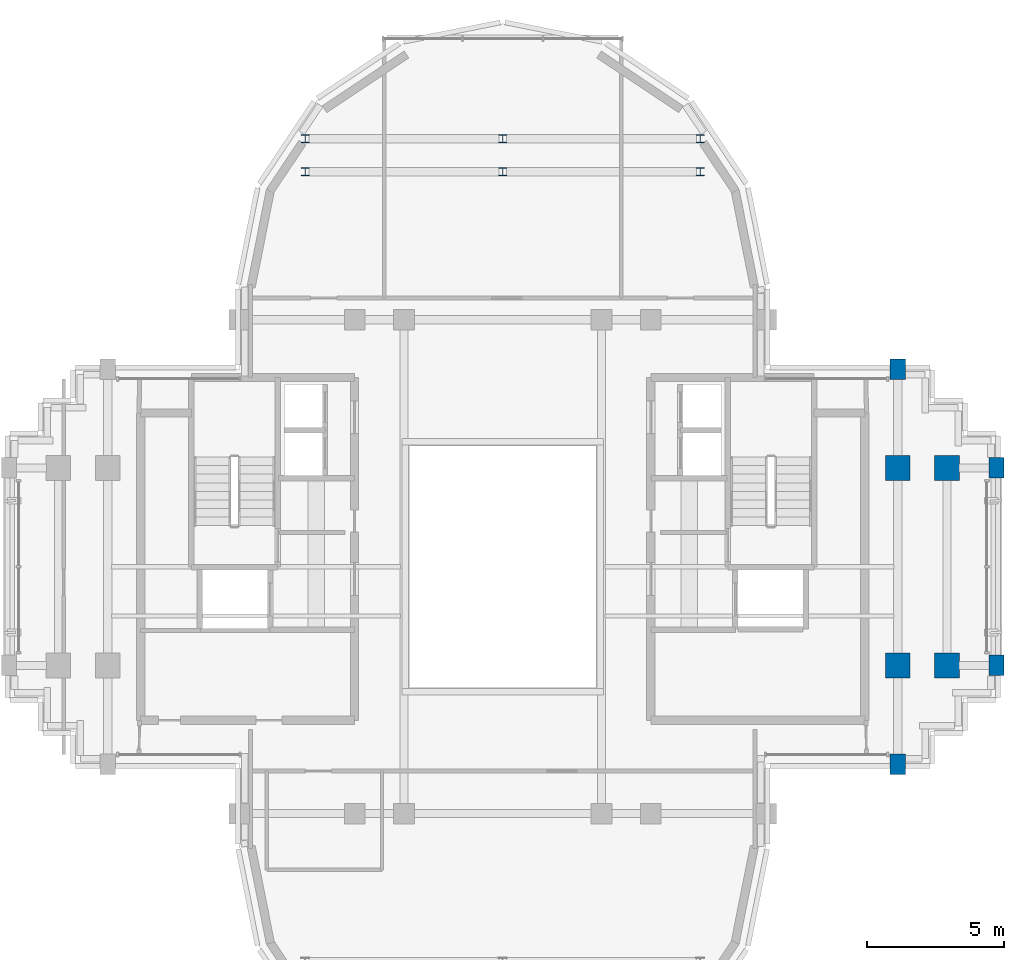
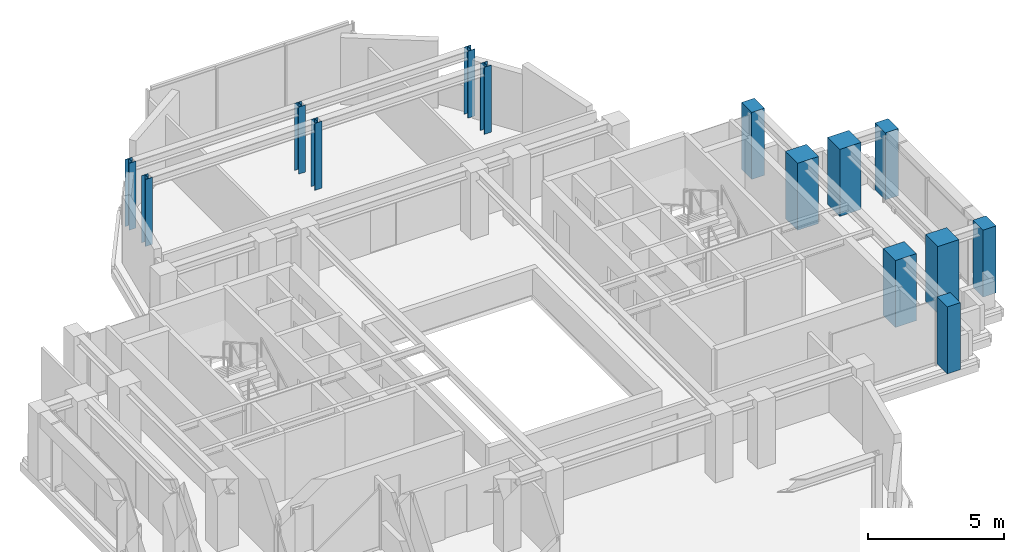
# One storey, part 2 of 12: 14 columns.
"""IFC4 building model written with IfcOpenShell, lengths in metres."""

from ifc_helpers import new_model, si_unit, direction, frame, origin, origin_2d, place, context, subcontext, project, spatial, rectangle, i_section, extrude, source, transform, mapped, material, material_profile, profile_set, type_object, element, save


model = new_model("IFC4")

# Units and contexts
model_context = context("Model", 3, precision=1e-05, world=origin(), true_north=direction((0.0, 1.0)))
body_context = subcontext(model_context, "Body", "Model", "MODEL_VIEW")
ifc_project = project(units=[si_unit("LENGTHUNIT", "METRE"), si_unit("AREAUNIT", "SQUARE_METRE"), si_unit("VOLUMEUNIT", "CUBIC_METRE"), si_unit("PLANEANGLEUNIT", "RADIAN"), si_unit("MASSUNIT", "GRAM", prefix="KILO")], contexts=[model_context])

# Site, building, storey
site_placement = place(None, origin())
site = spatial("IfcSite", under=ifc_project, at=site_placement, CompositionType="ELEMENT")
building_placement = place(site_placement, origin())
building = spatial("IfcBuilding", under=site, at=building_placement, Name="Keilestroom Media Tower", CompositionType="ELEMENT")
storey_placement = place(building_placement, frame((0.0, 0.0, 246.0)))
storey = spatial("IfcBuildingStorey", under=building, at=storey_placement, Name="L68", CompositionType="ELEMENT", Elevation=246.0)

# Columns
ifc_material_1 = material(Name="Precast concrete C40/50", Category="concrete")
ifc_material_profile_1 = material_profile(ifc_material_1, rectangle(XDim=0.550048828125, YDim=0.75, at=origin_2d()), Name="PC 750x550")
ifc_profile_set_1 = profile_set([ifc_material_profile_1], Name="Precast concrete C40/50")
column_type_1 = type_object("IfcColumnType", Name="Structural-Column-PC-750x550", PredefinedType="COLUMN", material=ifc_profile_set_1)
shared_shape_1 = source(origin(), body_context, "Body", "SweptSolid", [
    extrude(rectangle(XDim=0.550048828125, YDim=0.75, at=origin_2d()), origin(), (0.0, 0.0, 1.0), 3.010009765625),
])
for number, where, z_axis, x_axis, name in (
    (1, (14.39990234375, -7.199951171875, 0.0), (0.0, 0.0, 1.0), (1.0, 0.0, 0.0), "L68 Column PC-3 (+14.4,-7.2)"),
    (2, (14.39990234375, 7.199951171875, 0.0), (0.0, 0.0, 1.0), (1.0, 0.0, 0.0), "L68 Column PC-3 (+14.4,+7.2)"),
    (3, (18.0, -3.60009765625, 0.0), (0.0, 0.0, 1.0), (1.0, 0.0, 0.0), "L68 Column PC-3 (+18.0,-3.6)"),
    (4, (18.0, 3.60009765625, 0.0), (0.0, 0.0, 1.0), (1.0, 0.0, 0.0), "L68 Column PC-3 (+18.0,+3.6)"),
):
    element("IfcColumn", number, at=place(storey_placement, frame(where, z_axis=z_axis, x_axis=x_axis)), inside=storey, type_object=column_type_1, Name=name, PredefinedType="COLUMN", context=body_context, shape_type="MappedRepresentation", body=[
        mapped(shared_shape_1, transform((0.0, 0.0, 0.0), x_axis=(1.0, 0.0, 0.0), y_axis=(0.0, 1.0, 0.0), z_axis=(0.0, 0.0, 1.0), scale=1.0)),
    ])
ifc_material_2 = material(Name="Concrete C55/67", Category="concrete")
ifc_material_profile_2 = material_profile(ifc_material_2, rectangle(XDim=0.89990234375, YDim=0.89990234375, at=origin_2d()), Name="RC 900x900")
ifc_profile_set_2 = profile_set([ifc_material_profile_2], Name="Concrete C55/67")
column_type_2 = type_object("IfcColumnType", Name="Structural-Column-RC-900x900", PredefinedType="COLUMN", material=ifc_profile_set_2)
shared_shape_2 = source(origin(), body_context, "Body", "SweptSolid", [
    extrude(rectangle(XDim=0.89990234375, YDim=0.89990234375, at=origin_2d()), origin(), (0.0, 0.0, 1.0), 3.010009765625),
])
for number, where, z_axis, x_axis, name in (
    (5, (14.39990234375, -3.60009765625, 0.0), (0.0, 0.0, 1.0), (1.0, 0.0, 0.0), "L68 Column MC-4 (+14.4,-3.6)"),
    (6, (14.39990234375, 3.60009765625, 0.0), (0.0, 0.0, 1.0), (1.0, 0.0, 0.0), "L68 Column MC-4 (+14.4,+3.6)"),
    (7, (16.199951171875, -3.60009765625, 0.0), (0.0, 0.0, 1.0), (1.0, 0.0, 0.0), "L68 Column MC-4 (+16.2,-3.6)"),
    (8, (16.199951171875, 3.60009765625, 0.0), (0.0, 0.0, 1.0), (1.0, 0.0, 0.0), "L68 Column MC-4 (+16.2,+3.6)"),
):
    element("IfcColumn", number, at=place(storey_placement, frame(where, z_axis=z_axis, x_axis=x_axis)), inside=storey, type_object=column_type_2, Name=name, PredefinedType="COLUMN", context=body_context, shape_type="MappedRepresentation", body=[
        mapped(shared_shape_2, transform((0.0, 0.0, 0.0), x_axis=(1.0, 0.0, 0.0), y_axis=(0.0, 1.0, 0.0), z_axis=(0.0, 0.0, 1.0), scale=1.0)),
    ])
ifc_material_3 = material(Name="Steel S355", Category="steel")
ifc_material_profile_3 = material_profile(ifc_material_3, i_section(OverallWidth=0.300048828125, OverallDepth=0.300048828125, WebThickness=0.010986328125, FlangeThickness=0.01904296875, at=origin_2d()), Name="HEB 300")
ifc_profile_set_3 = profile_set([ifc_material_profile_3], Name="Steel S355")
column_type_3 = type_object("IfcColumnType", Name="Structural-Column-HEB-300", PredefinedType="COLUMN", material=ifc_profile_set_3)
shared_shape_3 = source(origin(), body_context, "Body", "SweptSolid", [
    extrude(i_section(OverallWidth=0.300048828125, OverallDepth=0.300048828125, WebThickness=0.010986328125, FlangeThickness=0.01904296875, at=origin_2d()), origin(), (0.0, 0.0, 1.0), 3.010009765625),
])
for number, where, z_axis, x_axis, name in (
    (9, (-7.199951171875, 14.39990234375, 0.0), (0.0, 0.0, 1.0), (1.0, 0.0, 0.0), "L68 Column SC-5 (-7.2,+14.4)"),
    (10, (-7.199951171875, 15.60009765625, 0.0), (0.0, 0.0, 1.0), (1.0, 0.0, 0.0), "L68 Column SC-5 (-7.2,+15.6)"),
    (11, (0.0, 14.39990234375, 0.0), (0.0, 0.0, 1.0), (1.0, 0.0, 0.0), "L68 Column SC-5 (+0.0,+14.4)"),
    (12, (0.0, 15.60009765625, 0.0), (0.0, 0.0, 1.0), (1.0, 0.0, 0.0), "L68 Column SC-5 (+0.0,+15.6)"),
    (13, (7.199951171875, 14.39990234375, 0.0), (0.0, 0.0, 1.0), (1.0, 0.0, 0.0), "L68 Column SC-5 (+7.2,+14.4)"),
    (14, (7.199951171875, 15.60009765625, 0.0), (0.0, 0.0, 1.0), (1.0, 0.0, 0.0), "L68 Column SC-5 (+7.2,+15.6)"),
):
    element("IfcColumn", number, at=place(storey_placement, frame(where, z_axis=z_axis, x_axis=x_axis)), inside=storey, type_object=column_type_3, Name=name, PredefinedType="COLUMN", context=body_context, shape_type="MappedRepresentation", body=[
        mapped(shared_shape_3, transform((0.0, 0.0, 0.0), x_axis=(1.0, 0.0, 0.0), y_axis=(0.0, 1.0, 0.0), z_axis=(0.0, 0.0, 1.0), scale=1.0)),
    ])

save(model, "model.ifc")
